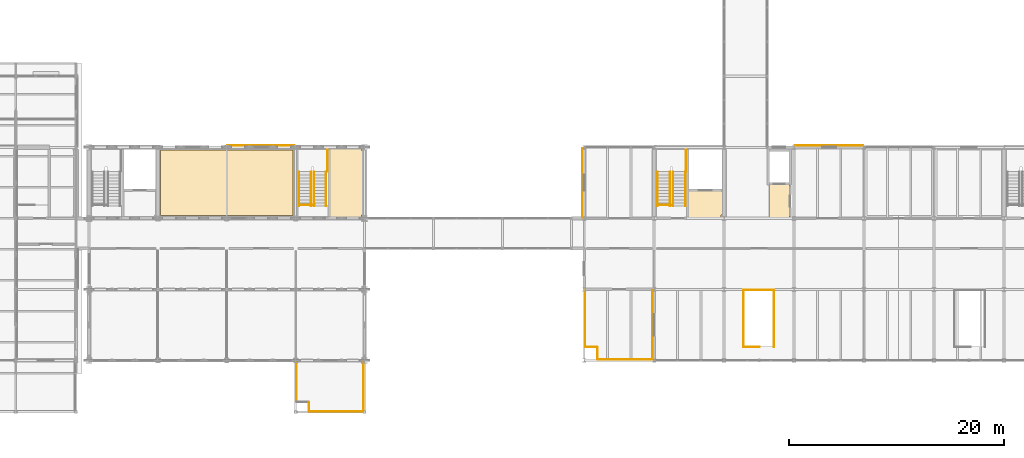
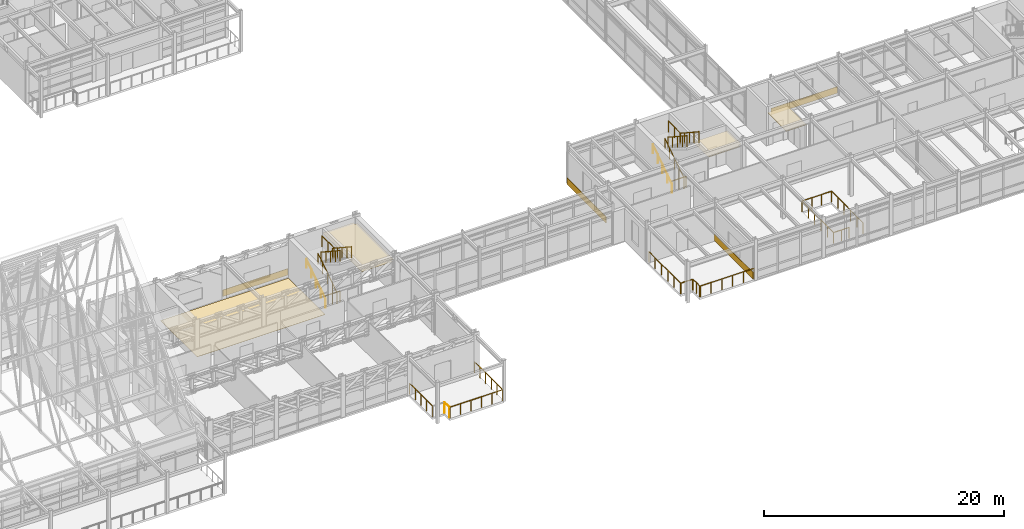
# One storey, part 141 of 144: 24 railings, 8 coverings.
"""IFC4 building model written with IfcOpenShell, lengths in metres."""

from ifc_helpers import new_model, si_unit, direction, frame, origin, origin_2d, place, context, subcontext, project, spatial, polyline, rectangle, circle, outline, extrude, material, layer, layer_set, type_object, element, save


model = new_model("IFC4")

# Units and contexts
model_context = context("Model", 3, precision=1e-05, world=origin(), true_north=direction((0.0, 1.0)))
body_context = subcontext(model_context, "Body", "Model", "MODEL_VIEW")
ifc_project = project(units=[si_unit("LENGTHUNIT", "METRE"), si_unit("AREAUNIT", "SQUARE_METRE"), si_unit("VOLUMEUNIT", "CUBIC_METRE"), si_unit("PLANEANGLEUNIT", "RADIAN"), si_unit("MASSUNIT", "GRAM", prefix="KILO")], contexts=[model_context])

# Site, building, storey
site_placement = place(None, origin())
site = spatial("IfcSite", under=ifc_project, at=site_placement, CompositionType="ELEMENT")
building_placement = place(site_placement, origin())
building = spatial("IfcBuilding", under=site, at=building_placement, Name="Trelmorton Wharf Fire Station", CompositionType="ELEMENT")
storey_placement = place(building_placement, frame((0.0, 0.0, 5.39990234375)))
storey = spatial("IfcBuildingStorey", under=building, at=storey_placement, Name="L01", CompositionType="ELEMENT", Elevation=5.39990234375)

# Coverings
ifc_material_1 = material(Name="Mineral fibre acoustic ceiling")
ifc_layer_1 = layer(ifc_material_1, 0.02001953125)
ifc_layer_set_1 = layer_set([ifc_layer_1], Name="Mineral fibre acoustic ceiling")
covering_type_1 = type_object("IfcCoveringType", Name="CV_CEIL_ACOU", PredefinedType="CEILING", material=ifc_layer_set_1)
covering_1_placement = place(storey_placement, frame((0.0, 0.0, 3.280029296875)))
element("IfcCovering", 1, at=covering_1_placement, inside=storey, type_object=covering_type_1, Name="CV-CLG-008", PredefinedType="CEILING", context=body_context, shape_type="SweptSolid", body=[
    extrude(outline(polyline([(80.360107421875, 27.56005859375), (83.300048828125, 27.56005859375), (83.300048828125, 27.300048828125), (83.56005859375, 27.300048828125), (83.56005859375, 21.300048828125), (83.300048828125, 21.300048828125), (83.300048828125, 21.0400390625), (80.360107421875, 21.0400390625), (80.360107421875, 27.56005859375)])), origin(), (0.0, 0.0, 1.0), 0.02001953125),
])
covering_2_placement = place(storey_placement, frame((0.0, 0.0, 3.280029296875)))
element("IfcCovering", 2, at=covering_2_placement, inside=storey, type_object=covering_type_1, Name="CV-CLG-013", PredefinedType="CEILING", context=body_context, shape_type="SweptSolid", body=[
    extrude(outline(polyline([(113.659912109375, 21.0400390625), (113.659912109375, 23.56005859375), (116.9599609375, 23.56005859375), (116.9599609375, 21.300048828125), (116.699951171875, 21.300048828125), (116.699951171875, 21.0400390625), (113.659912109375, 21.0400390625)])), origin(), (0.0, 0.0, 1.0), 0.02001953125),
])
covering_3_placement = place(storey_placement, frame((0.0, 0.0, 3.280029296875)))
element("IfcCovering", 3, at=covering_3_placement, inside=storey, type_object=covering_type_1, Name="CV-CLG-014", PredefinedType="CEILING", context=body_context, shape_type="SweptSolid", body=[
    extrude(outline(polyline([(123.090087890625, 21.0400390625), (123.090087890625, 24.159912109375), (121.14990234375, 24.159912109375), (121.14990234375, 21.0400390625), (123.090087890625, 21.0400390625)])), origin(), (0.0, 0.0, 1.0), 0.02001953125),
])
ifc_material_2 = material(Name="Signal-red ribbed aluminium cladding AW-6063", Category="aluminium")
ifc_layer_2 = layer(ifc_material_2, 0.034912109375)
ifc_layer_set_2 = layer_set([ifc_layer_2], Name="Signal-red ribbed aluminium cladding AW-6063")
covering_type_2 = type_object("IfcCoveringType", Name="CV_CLAD_RED", PredefinedType="CLADDING", material=ifc_layer_set_2)
covering_4_placement = place(storey_placement, frame((110.360107421875, 11.10009765625, 0.0400390625), z_axis=(0.0, 0.0, 1.0), x_axis=(0.0, 1.0, 0.0)))
element("IfcCovering", 4, at=covering_4_placement, inside=storey, type_object=covering_type_2, Name="CV-RED-0009", PredefinedType="CLADDING", context=body_context, shape_type="SweptSolid", body=[
    extrude(rectangle(XDim=6.469970703125, YDim=0.034912109375, at=origin_2d()), origin(), (0.0, 0.0, 1.0), 0.679931640625),
])
ifc_material_3 = material(Name="Architectural terracotta cladding", Category="masonry")
ifc_layer_3 = layer(ifc_material_3, 0.044921875)
ifc_layer_set_3 = layer_set([ifc_layer_3], Name="Architectural terracotta cladding")
covering_type_3 = type_object("IfcCoveringType", Name="CV_CLAD_TER", PredefinedType="CLADDING", material=ifc_layer_set_3)
covering_5_placement = place(storey_placement, frame((74.0, 27.764892578125, 0.0302734375), z_axis=(0.0, 0.0, 1.0), x_axis=(1.0, 0.0, 0.0)))
element("IfcCovering", 5, at=covering_5_placement, inside=storey, type_object=covering_type_3, Name="CV-TER-0005", PredefinedType="CLADDING", context=body_context, shape_type="SweptSolid", body=[
    extrude(rectangle(XDim=6.27001953125, YDim=0.044921875, at=origin_2d()), origin(), (0.0, 0.0, 1.0), 0.659912109375),
])
covering_6_placement = place(storey_placement, frame((126.75, 27.764892578125, 0.0302734375), z_axis=(0.0, 0.0, 1.0), x_axis=(1.0, 0.0, 0.0)))
element("IfcCovering", 6, at=covering_6_placement, inside=storey, type_object=covering_type_3, Name="CV-TER-0010", PredefinedType="CLADDING", context=body_context, shape_type="SweptSolid", body=[
    extrude(rectangle(XDim=6.3701171875, YDim=0.044921875, at=origin_2d()), origin(), (0.0, 0.0, 1.0), 0.659912109375),
])
covering_7_placement = place(storey_placement, frame((103.8349609375, 24.300048828125, 0.0302734375), z_axis=(0.0, 0.0, 1.0), x_axis=(0.0, 1.0, 0.0)))
element("IfcCovering", 7, at=covering_7_placement, inside=storey, type_object=covering_type_3, Name="CV-TER-0011", PredefinedType="CLADDING", context=body_context, shape_type="SweptSolid", body=[
    extrude(rectangle(XDim=6.469970703125, YDim=0.044921875, at=origin_2d()), origin(), (0.0, 0.0, 1.0), 0.659912109375),
])
ifc_material_4 = material(Name="Quarry tile wet-area flooring")
ifc_layer_4 = layer(ifc_material_4, 0.02001953125)
ifc_layer_set_4 = layer_set([ifc_layer_4], Name="Quarry tile wet-area flooring")
covering_type_4 = type_object("IfcCoveringType", Name="CV_FLOR_TILE", PredefinedType="FLOORING", material=ifc_layer_set_4)
covering_8_placement = place(storey_placement, origin())
element("IfcCovering", 8, at=covering_8_placement, inside=storey, type_object=covering_type_4, Name="CV-FLR-004", PredefinedType="FLOORING", context=body_context, shape_type="SweptSolid", body=[
    extrude(outline(polyline([(76.949951171875, 21.25), (76.949951171875, 27.35009765625), (64.64990234375, 27.35009765625), (64.64990234375, 21.25), (76.949951171875, 21.25)])), origin(), (0.0, 0.0, 1.0), 0.02001953125),
])

# Railings
ifc_material_5 = material(Name="Signal-red architectural steel Grade 350", Category="steel")
railing_type_1 = type_object("IfcRailingType", Name="RL_BAL_RED", PredefinedType="BALUSTRADE", material=ifc_material_5)
railing_1_placement = place(storey_placement, frame((77.280029296875, 7.760009765625, 0.0)))
element("IfcRailing", 9, at=railing_1_placement, inside=storey, type_object=railing_type_1, Name="RL-DECK-L01-013", PredefinedType="BALUSTRADE", context=body_context, shape_type="SweptSolid", body=[
    extrude(circle(Radius=0.02392578125, at=origin_2d()), frame((0.0, 0.0, 1.09619140625), z_axis=(0.0, -1.0, 0.0), x_axis=(1.0, 0.0, 0.0)), (0.0, 0.0, 1.0), 3.780029296875),
    extrude(circle(Radius=0.02099609375, at=origin_2d()), origin(), (0.0, 0.0, 1.0), 1.072021484375),
    extrude(circle(Radius=0.02099609375, at=origin_2d()), frame((0.0, -0.945068359375, 0.0)), (0.0, 0.0, 1.0), 1.072021484375),
    extrude(circle(Radius=0.02099609375, at=origin_2d()), frame((0.0, -1.89013671875, 0.0)), (0.0, 0.0, 1.0), 1.072021484375),
    extrude(circle(Radius=0.02099609375, at=origin_2d()), frame((0.0, -2.8349609375, 0.0)), (0.0, 0.0, 1.0), 1.072021484375),
    extrude(circle(Radius=0.02099609375, at=origin_2d()), frame((0.0, -3.780029296875, 0.0)), (0.0, 0.0, 1.0), 1.072021484375),
])
railing_2_placement = place(storey_placement, frame((78.419921875, 3.89990234375, 0.0)))
element("IfcRailing", 10, at=railing_2_placement, inside=storey, type_object=railing_type_1, Name="RL-DECK-L01-015", PredefinedType="BALUSTRADE", context=body_context, shape_type="SweptSolid", body=[
    extrude(circle(Radius=0.02392578125, at=origin_2d()), frame((0.0, 0.0, 1.09619140625), z_axis=(0.0, -1.0, 0.0), x_axis=(1.0, 0.0, 0.0)), (0.0, 0.0, 1.0), 0.77978515625),
    extrude(circle(Radius=0.02099609375, at=origin_2d()), origin(), (0.0, 0.0, 1.0), 1.072021484375),
    extrude(circle(Radius=0.02099609375, at=origin_2d()), frame((0.0, -0.77978515625, 0.0)), (0.0, 0.0, 1.0), 1.072021484375),
])
railing_3_placement = place(storey_placement, frame((78.4599609375, 3.080078125, 0.0)))
element("IfcRailing", 11, at=railing_3_placement, inside=storey, type_object=railing_type_1, Name="RL-DECK-L01-016", PredefinedType="BALUSTRADE", context=body_context, shape_type="SweptSolid", body=[
    extrude(circle(Radius=0.02392578125, at=origin_2d()), frame((0.0, 0.0, 1.09619140625), z_axis=(1.0, 0.0, 0.0), x_axis=(0.0, 1.0, 0.0)), (0.0, 0.0, 1.0), 5.02001953125),
    extrude(circle(Radius=0.02099609375, at=origin_2d()), origin(), (0.0, 0.0, 1.0), 1.072021484375),
    extrude(circle(Radius=0.02099609375, at=origin_2d()), frame((1.00390625, 0.0, 0.0)), (0.0, 0.0, 1.0), 1.072021484375),
    extrude(circle(Radius=0.02099609375, at=origin_2d()), frame((2.008056640625, 0.0, 0.0)), (0.0, 0.0, 1.0), 1.072021484375),
    extrude(circle(Radius=0.02099609375, at=origin_2d()), frame((3.011962890625, 0.0, 0.0)), (0.0, 0.0, 1.0), 1.072021484375),
    extrude(circle(Radius=0.02099609375, at=origin_2d()), frame((4.01611328125, 0.0, 0.0)), (0.0, 0.0, 1.0), 1.072021484375),
    extrude(circle(Radius=0.02099609375, at=origin_2d()), frame((5.02001953125, 0.0, 0.0)), (0.0, 0.0, 1.0), 1.072021484375),
])
railing_4_placement = place(storey_placement, frame((83.52001953125, 3.1201171875, 0.0)))
element("IfcRailing", 12, at=railing_4_placement, inside=storey, type_object=railing_type_1, Name="RL-DECK-L01-017", PredefinedType="BALUSTRADE", context=body_context, shape_type="SweptSolid", body=[
    extrude(circle(Radius=0.02392578125, at=origin_2d()), frame((0.0, 0.0, 1.09619140625), z_axis=(0.0, 1.0, 0.0), x_axis=(-1.0, 0.0, 0.0)), (0.0, 0.0, 1.0), 4.639892578125),
    extrude(circle(Radius=0.02099609375, at=origin_2d()), origin(), (0.0, 0.0, 1.0), 1.072021484375),
    extrude(circle(Radius=0.02099609375, at=origin_2d()), frame((0.0, 0.927978515625, 0.0)), (0.0, 0.0, 1.0), 1.072021484375),
    extrude(circle(Radius=0.02099609375, at=origin_2d()), frame((0.0, 1.85595703125, 0.0)), (0.0, 0.0, 1.0), 1.072021484375),
    extrude(circle(Radius=0.02099609375, at=origin_2d()), frame((0.0, 2.783935546875, 0.0)), (0.0, 0.0, 1.0), 1.072021484375),
    extrude(circle(Radius=0.02099609375, at=origin_2d()), frame((0.0, 3.7119140625, 0.0)), (0.0, 0.0, 1.0), 1.072021484375),
    extrude(circle(Radius=0.02099609375, at=origin_2d()), frame((0.0, 4.639892578125, 0.0)), (0.0, 0.0, 1.0), 1.072021484375),
])
railing_5_placement = place(storey_placement, frame((104.080078125, 14.360107421875, 0.0)))
element("IfcRailing", 13, at=railing_5_placement, inside=storey, type_object=railing_type_1, Name="RL-DECK-L01-018", PredefinedType="BALUSTRADE", context=body_context, shape_type="SweptSolid", body=[
    extrude(circle(Radius=0.02392578125, at=origin_2d()), frame((0.0, 0.0, 1.09619140625), z_axis=(0.0, -1.0, 0.0), x_axis=(1.0, 0.0, 0.0)), (0.0, 0.0, 1.0), 5.260009765625),
    extrude(circle(Radius=0.02099609375, at=origin_2d()), origin(), (0.0, 0.0, 1.0), 1.072021484375),
    extrude(circle(Radius=0.02099609375, at=origin_2d()), frame((0.0, -1.052001953125, 0.0)), (0.0, 0.0, 1.0), 1.072021484375),
    extrude(circle(Radius=0.02099609375, at=origin_2d()), frame((0.0, -2.10400390625, 0.0)), (0.0, 0.0, 1.0), 1.072021484375),
    extrude(circle(Radius=0.02099609375, at=origin_2d()), frame((0.0, -3.156005859375, 0.0)), (0.0, 0.0, 1.0), 1.072021484375),
    extrude(circle(Radius=0.02099609375, at=origin_2d()), frame((0.0, -4.2080078125, 0.0)), (0.0, 0.0, 1.0), 1.072021484375),
    extrude(circle(Radius=0.02099609375, at=origin_2d()), frame((0.0, -5.260009765625, 0.0)), (0.0, 0.0, 1.0), 1.072021484375),
])
railing_6_placement = place(storey_placement, frame((104.1201171875, 9.06005859375, 0.0)))
element("IfcRailing", 14, at=railing_6_placement, inside=storey, type_object=railing_type_1, Name="RL-DECK-L01-019", PredefinedType="BALUSTRADE", context=body_context, shape_type="SweptSolid", body=[
    extrude(circle(Radius=0.02392578125, at=origin_2d()), frame((0.0, 0.0, 1.09619140625), z_axis=(1.0, 0.0, 0.0), x_axis=(0.0, 1.0, 0.0)), (0.0, 0.0, 1.0), 1.08984375),
    extrude(circle(Radius=0.02099609375, at=origin_2d()), origin(), (0.0, 0.0, 1.0), 1.072021484375),
    extrude(circle(Radius=0.02099609375, at=origin_2d()), frame((1.08984375, 0.0, 0.0)), (0.0, 0.0, 1.0), 1.072021484375),
])
railing_7_placement = place(storey_placement, frame((105.25, 9.02001953125, 0.0)))
element("IfcRailing", 15, at=railing_7_placement, inside=storey, type_object=railing_type_1, Name="RL-DECK-L01-020", PredefinedType="BALUSTRADE", context=body_context, shape_type="SweptSolid", body=[
    extrude(circle(Radius=0.02392578125, at=origin_2d()), frame((0.0, 0.0, 1.09619140625), z_axis=(0.0, -1.0, 0.0), x_axis=(1.0, 0.0, 0.0)), (0.0, 0.0, 1.0), 1.10009765625),
    extrude(circle(Radius=0.02099609375, at=origin_2d()), origin(), (0.0, 0.0, 1.0), 1.072021484375),
    extrude(circle(Radius=0.02099609375, at=origin_2d()), frame((0.0, -0.550048828125, 0.0)), (0.0, 0.0, 1.0), 1.072021484375),
    extrude(circle(Radius=0.02099609375, at=origin_2d()), frame((0.0, -1.10009765625, 0.0)), (0.0, 0.0, 1.0), 1.072021484375),
])
railing_8_placement = place(storey_placement, frame((105.2900390625, 7.8798828125, 0.0)))
element("IfcRailing", 16, at=railing_8_placement, inside=storey, type_object=railing_type_1, Name="RL-DECK-L01-021", PredefinedType="BALUSTRADE", context=body_context, shape_type="SweptSolid", body=[
    extrude(circle(Radius=0.02392578125, at=origin_2d()), frame((0.0, 0.0, 1.09619140625), z_axis=(1.0, 0.0, 0.0), x_axis=(0.0, 1.0, 0.0)), (0.0, 0.0, 1.0), 5.169921875),
    extrude(circle(Radius=0.02099609375, at=origin_2d()), origin(), (0.0, 0.0, 1.0), 1.072021484375),
    extrude(circle(Radius=0.02099609375, at=origin_2d()), frame((1.033935546875, 0.0, 0.0)), (0.0, 0.0, 1.0), 1.072021484375),
    extrude(circle(Radius=0.02099609375, at=origin_2d()), frame((2.06787109375, 0.0, 0.0)), (0.0, 0.0, 1.0), 1.072021484375),
    extrude(circle(Radius=0.02099609375, at=origin_2d()), frame((3.10205078125, 0.0, 0.0)), (0.0, 0.0, 1.0), 1.072021484375),
    extrude(circle(Radius=0.02099609375, at=origin_2d()), frame((4.135986328125, 0.0, 0.0)), (0.0, 0.0, 1.0), 1.072021484375),
    extrude(circle(Radius=0.02099609375, at=origin_2d()), frame((5.169921875, 0.0, 0.0)), (0.0, 0.0, 1.0), 1.072021484375),
])
ifc_material_6 = material(Name="Stainless steel 316 marine grade", Category="steel")
railing_type_2 = type_object("IfcRailingType", Name="RL_HAND_900", PredefinedType="HANDRAIL", material=ifc_material_6)
for number, where, name in (
    (17, (77.510009765625, 22.139892578125, 0.0), "RL-HR1-STR-C2B-L01-06"),
    (18, (110.81005859375, 22.139892578125, 0.0), "RL-HR1-STR-C3-L01-09"),
):
    element("IfcRailing", number, at=place(storey_placement, frame(where)), inside=storey, type_object=railing_type_2, Name=name, PredefinedType="HANDRAIL", context=body_context, shape_type="SweptSolid", body=[
        extrude(circle(Radius=0.02099609375, at=origin_2d()), frame((0.0, 0.0, 0.87890625), z_axis=(0.0, 0.835261802243, 0.549852454495), x_axis=(-1.0, 0.0, 0.0)), (0.0, 0.0, 1.0), 3.8193359375),
        extrude(circle(Radius=0.02099609375, at=origin_2d()), origin(), (0.0, 0.0, 1.0), 0.85791015625),
        extrude(circle(Radius=0.02099609375, at=origin_2d()), frame((0.0, 0.797607421875, 0.52490234375)), (0.0, 0.0, 1.0), 0.85791015625),
        extrude(circle(Radius=0.02099609375, at=origin_2d()), frame((0.0, 1.59521484375, 1.050048828125)), (0.0, 0.0, 1.0), 0.85791015625),
        extrude(circle(Radius=0.02099609375, at=origin_2d()), frame((0.0, 2.392578125, 1.5751953125)), (0.0, 0.0, 1.0), 0.85791015625),
        extrude(circle(Radius=0.02099609375, at=origin_2d()), frame((0.0, 3.190185546875, 2.10009765625)), (0.0, 0.0, 1.0), 0.85791015625),
    ])
railing_type_3 = type_object("IfcRailingType", Name="RL_WELL_1100", PredefinedType="BALUSTRADE", material=ifc_material_6)
railing_9_placement = place(storey_placement, frame((77.56005859375, 22.260009765625, 0.0)))
element("IfcRailing", 19, at=railing_9_placement, inside=storey, type_object=railing_type_3, Name="RL-UPWELL-STR-C2B-L00-05", PredefinedType="BALUSTRADE", context=body_context, shape_type="SweptSolid", body=[
    extrude(circle(Radius=0.02392578125, at=origin_2d()), frame((0.0, 0.0, 1.09619140625), z_axis=(1.0, 0.0, 0.0), x_axis=(0.0, 1.0, 0.0)), (0.0, 0.0, 1.0), 1.3798828125),
    extrude(circle(Radius=0.02099609375, at=origin_2d()), origin(), (0.0, 0.0, 1.0), 1.072021484375),
    extrude(circle(Radius=0.02099609375, at=origin_2d()), frame((0.68994140625, 0.0, 0.0)), (0.0, 0.0, 1.0), 1.072021484375),
    extrude(circle(Radius=0.02099609375, at=origin_2d()), frame((1.3798828125, 0.0, 0.0)), (0.0, 0.0, 1.0), 1.072021484375),
])
railing_10_placement = place(storey_placement, frame((80.155029296875, 27.3349609375, 2.10009765625)))
element("IfcRailing", 20, at=railing_10_placement, inside=storey, type_object=railing_type_3, Name="RL-GW-OUT1-STR-C2B-L01-06", PredefinedType="BALUSTRADE", context=body_context, shape_type="SweptSolid", body=[
    extrude(circle(Radius=0.02392578125, at=origin_2d()), frame((0.0, 0.0, 1.09619140625), z_axis=(0.0, -1.0, 0.0), x_axis=(1.0, 0.0, 0.0)), (0.0, 0.0, 1.0), 1.96484375),
    extrude(circle(Radius=0.02099609375, at=origin_2d()), origin(), (0.0, 0.0, 1.0), 1.072021484375),
    extrude(circle(Radius=0.02099609375, at=origin_2d()), frame((0.0, -0.982421875, 0.0)), (0.0, 0.0, 1.0), 1.072021484375),
    extrude(circle(Radius=0.02099609375, at=origin_2d()), frame((0.0, -1.96484375, 0.0)), (0.0, 0.0, 1.0), 1.072021484375),
])
railing_11_placement = place(storey_placement, frame((80.010009765625, 25.330078125, 2.10009765625)))
element("IfcRailing", 21, at=railing_11_placement, inside=storey, type_object=railing_type_3, Name="RL-GW-OUT2-STR-C2B-L01-06", PredefinedType="BALUSTRADE", context=body_context, shape_type="SweptSolid", body=[
    extrude(circle(Radius=0.02392578125, at=origin_2d()), frame((0.0, 0.0, 1.09619140625), z_axis=(0.0, -0.835261802243, 0.549852454495), x_axis=(1.0, 0.0, 0.0)), (0.0, 0.0, 1.0), 3.8193359375),
    extrude(circle(Radius=0.02099609375, at=origin_2d()), origin(), (0.0, 0.0, 1.0), 1.072021484375),
    extrude(circle(Radius=0.02099609375, at=origin_2d()), frame((0.0, -0.797607421875, 0.52490234375)), (0.0, 0.0, 1.0), 1.072021484375),
    extrude(circle(Radius=0.02099609375, at=origin_2d()), frame((0.0, -1.59521484375, 1.050048828125)), (0.0, 0.0, 1.0), 1.072021484375),
    extrude(circle(Radius=0.02099609375, at=origin_2d()), frame((0.0, -2.392578125, 1.5751953125)), (0.0, 0.0, 1.0), 1.072021484375),
    extrude(circle(Radius=0.02099609375, at=origin_2d()), frame((0.0, -3.190185546875, 2.10009765625)), (0.0, 0.0, 1.0), 1.072021484375),
])
railing_12_placement = place(storey_placement, frame((78.610107421875, 22.139892578125, 0.0)))
element("IfcRailing", 22, at=railing_12_placement, inside=storey, type_object=railing_type_3, Name="RL-GW-IN1-STR-C2B-L01-06", PredefinedType="BALUSTRADE", context=body_context, shape_type="SweptSolid", body=[
    extrude(circle(Radius=0.02392578125, at=origin_2d()), frame((0.0, 0.0, 1.09619140625), z_axis=(0.0, 0.835261802243, 0.549852454495), x_axis=(-1.0, 0.0, 0.0)), (0.0, 0.0, 1.0), 3.8193359375),
    extrude(circle(Radius=0.02099609375, at=origin_2d()), origin(), (0.0, 0.0, 1.0), 1.072021484375),
    extrude(circle(Radius=0.02099609375, at=origin_2d()), frame((0.0, 0.797607421875, 0.52490234375)), (0.0, 0.0, 1.0), 1.072021484375),
    extrude(circle(Radius=0.02099609375, at=origin_2d()), frame((0.0, 1.59521484375, 1.050048828125)), (0.0, 0.0, 1.0), 1.072021484375),
    extrude(circle(Radius=0.02099609375, at=origin_2d()), frame((0.0, 2.392578125, 1.5751953125)), (0.0, 0.0, 1.0), 1.072021484375),
    extrude(circle(Radius=0.02099609375, at=origin_2d()), frame((0.0, 3.190185546875, 2.10009765625)), (0.0, 0.0, 1.0), 1.072021484375),
])
railing_13_placement = place(storey_placement, frame((78.909912109375, 25.330078125, 2.10009765625)))
element("IfcRailing", 23, at=railing_13_placement, inside=storey, type_object=railing_type_3, Name="RL-GW-IN2-STR-C2B-L01-06", PredefinedType="BALUSTRADE", context=body_context, shape_type="SweptSolid", body=[
    extrude(circle(Radius=0.02392578125, at=origin_2d()), frame((0.0, 0.0, 1.09619140625), z_axis=(0.0, -0.835261802243, 0.549852454495), x_axis=(1.0, 0.0, 0.0)), (0.0, 0.0, 1.0), 3.8193359375),
    extrude(circle(Radius=0.02099609375, at=origin_2d()), origin(), (0.0, 0.0, 1.0), 1.072021484375),
    extrude(circle(Radius=0.02099609375, at=origin_2d()), frame((0.0, -0.797607421875, 0.52490234375)), (0.0, 0.0, 1.0), 1.072021484375),
    extrude(circle(Radius=0.02099609375, at=origin_2d()), frame((0.0, -1.59521484375, 1.050048828125)), (0.0, 0.0, 1.0), 1.072021484375),
    extrude(circle(Radius=0.02099609375, at=origin_2d()), frame((0.0, -2.392578125, 1.5751953125)), (0.0, 0.0, 1.0), 1.072021484375),
    extrude(circle(Radius=0.02099609375, at=origin_2d()), frame((0.0, -3.190185546875, 2.10009765625)), (0.0, 0.0, 1.0), 1.072021484375),
])
railing_14_placement = place(storey_placement, frame((110.860107421875, 22.260009765625, 0.0)))
element("IfcRailing", 24, at=railing_14_placement, inside=storey, type_object=railing_type_3, Name="RL-UPWELL-STR-C3-L00-08", PredefinedType="BALUSTRADE", context=body_context, shape_type="SweptSolid", body=[
    extrude(circle(Radius=0.02392578125, at=origin_2d()), frame((0.0, 0.0, 1.09619140625), z_axis=(1.0, 0.0, 0.0), x_axis=(0.0, 1.0, 0.0)), (0.0, 0.0, 1.0), 1.33984375),
    extrude(circle(Radius=0.02099609375, at=origin_2d()), origin(), (0.0, 0.0, 1.0), 1.072021484375),
    extrude(circle(Radius=0.02099609375, at=origin_2d()), frame((0.669921875, 0.0, 0.0)), (0.0, 0.0, 1.0), 1.072021484375),
    extrude(circle(Radius=0.02099609375, at=origin_2d()), frame((1.33984375, 0.0, 0.0)), (0.0, 0.0, 1.0), 1.072021484375),
])
railing_15_placement = place(storey_placement, frame((113.455078125, 27.3349609375, 2.10009765625)))
element("IfcRailing", 25, at=railing_15_placement, inside=storey, type_object=railing_type_3, Name="RL-GW-OUT1-STR-C3-L01-09", PredefinedType="BALUSTRADE", context=body_context, shape_type="SweptSolid", body=[
    extrude(circle(Radius=0.02392578125, at=origin_2d()), frame((0.0, 0.0, 1.09619140625), z_axis=(0.0, -1.0, 0.0), x_axis=(1.0, 0.0, 0.0)), (0.0, 0.0, 1.0), 1.96484375),
    extrude(circle(Radius=0.02099609375, at=origin_2d()), origin(), (0.0, 0.0, 1.0), 1.072021484375),
    extrude(circle(Radius=0.02099609375, at=origin_2d()), frame((0.0, -0.982421875, 0.0)), (0.0, 0.0, 1.0), 1.072021484375),
    extrude(circle(Radius=0.02099609375, at=origin_2d()), frame((0.0, -1.96484375, 0.0)), (0.0, 0.0, 1.0), 1.072021484375),
])
railing_16_placement = place(storey_placement, frame((113.389892578125, 25.330078125, 2.10009765625)))
element("IfcRailing", 26, at=railing_16_placement, inside=storey, type_object=railing_type_3, Name="RL-GW-OUT2-STR-C3-L01-09", PredefinedType="BALUSTRADE", context=body_context, shape_type="SweptSolid", body=[
    extrude(circle(Radius=0.02392578125, at=origin_2d()), frame((0.0, 0.0, 1.09619140625), z_axis=(0.0, -0.835261802243, 0.549852454495), x_axis=(1.0, 0.0, 0.0)), (0.0, 0.0, 1.0), 3.8193359375),
    extrude(circle(Radius=0.02099609375, at=origin_2d()), origin(), (0.0, 0.0, 1.0), 1.072021484375),
    extrude(circle(Radius=0.02099609375, at=origin_2d()), frame((0.0, -0.797607421875, 0.52490234375)), (0.0, 0.0, 1.0), 1.072021484375),
    extrude(circle(Radius=0.02099609375, at=origin_2d()), frame((0.0, -1.59521484375, 1.050048828125)), (0.0, 0.0, 1.0), 1.072021484375),
    extrude(circle(Radius=0.02099609375, at=origin_2d()), frame((0.0, -2.392578125, 1.5751953125)), (0.0, 0.0, 1.0), 1.072021484375),
    extrude(circle(Radius=0.02099609375, at=origin_2d()), frame((0.0, -3.190185546875, 2.10009765625)), (0.0, 0.0, 1.0), 1.072021484375),
])
railing_17_placement = place(storey_placement, frame((111.949951171875, 22.139892578125, 0.0)))
element("IfcRailing", 27, at=railing_17_placement, inside=storey, type_object=railing_type_3, Name="RL-GW-IN1-STR-C3-L01-09", PredefinedType="BALUSTRADE", context=body_context, shape_type="SweptSolid", body=[
    extrude(circle(Radius=0.02392578125, at=origin_2d()), frame((0.0, 0.0, 1.09619140625), z_axis=(0.0, 0.835261802243, 0.549852454495), x_axis=(-1.0, 0.0, 0.0)), (0.0, 0.0, 1.0), 3.8193359375),
    extrude(circle(Radius=0.02099609375, at=origin_2d()), origin(), (0.0, 0.0, 1.0), 1.072021484375),
    extrude(circle(Radius=0.02099609375, at=origin_2d()), frame((0.0, 0.797607421875, 0.52490234375)), (0.0, 0.0, 1.0), 1.072021484375),
    extrude(circle(Radius=0.02099609375, at=origin_2d()), frame((0.0, 1.59521484375, 1.050048828125)), (0.0, 0.0, 1.0), 1.072021484375),
    extrude(circle(Radius=0.02099609375, at=origin_2d()), frame((0.0, 2.392578125, 1.5751953125)), (0.0, 0.0, 1.0), 1.072021484375),
    extrude(circle(Radius=0.02099609375, at=origin_2d()), frame((0.0, 3.190185546875, 2.10009765625)), (0.0, 0.0, 1.0), 1.072021484375),
])
railing_18_placement = place(storey_placement, frame((112.25, 25.330078125, 2.10009765625)))
element("IfcRailing", 28, at=railing_18_placement, inside=storey, type_object=railing_type_3, Name="RL-GW-IN2-STR-C3-L01-09", PredefinedType="BALUSTRADE", context=body_context, shape_type="SweptSolid", body=[
    extrude(circle(Radius=0.02392578125, at=origin_2d()), frame((0.0, 0.0, 1.09619140625), z_axis=(0.0, -0.835261802243, 0.549852454495), x_axis=(1.0, 0.0, 0.0)), (0.0, 0.0, 1.0), 3.8193359375),
    extrude(circle(Radius=0.02099609375, at=origin_2d()), origin(), (0.0, 0.0, 1.0), 1.072021484375),
    extrude(circle(Radius=0.02099609375, at=origin_2d()), frame((0.0, -0.797607421875, 0.52490234375)), (0.0, 0.0, 1.0), 1.072021484375),
    extrude(circle(Radius=0.02099609375, at=origin_2d()), frame((0.0, -1.59521484375, 1.050048828125)), (0.0, 0.0, 1.0), 1.072021484375),
    extrude(circle(Radius=0.02099609375, at=origin_2d()), frame((0.0, -2.392578125, 1.5751953125)), (0.0, 0.0, 1.0), 1.072021484375),
    extrude(circle(Radius=0.02099609375, at=origin_2d()), frame((0.0, -3.190185546875, 2.10009765625)), (0.0, 0.0, 1.0), 1.072021484375),
])
railing_19_placement = place(storey_placement, frame((118.780029296875, 9.06005859375, 0.0)))
element("IfcRailing", 29, at=railing_19_placement, inside=storey, type_object=railing_type_3, Name="RL-STS-04-US", PredefinedType="BALUSTRADE", context=body_context, shape_type="SweptSolid", body=[
    extrude(circle(Radius=0.02392578125, at=origin_2d()), frame((0.0, 0.0, 1.09619140625), z_axis=(1.0, 0.0, 0.0), x_axis=(0.0, 1.0, 0.0)), (0.0, 0.0, 1.0), 1.5),
    extrude(circle(Radius=0.02099609375, at=origin_2d()), origin(), (0.0, 0.0, 1.0), 1.072021484375),
    extrude(circle(Radius=0.02099609375, at=origin_2d()), frame((0.75, 0.0, 0.0)), (0.0, 0.0, 1.0), 1.072021484375),
    extrude(circle(Radius=0.02099609375, at=origin_2d()), frame((1.5, 0.0, 0.0)), (0.0, 0.0, 1.0), 1.072021484375),
])
railing_20_placement = place(storey_placement, frame((118.780029296875, 9.06005859375, 0.0)))
element("IfcRailing", 30, at=railing_20_placement, inside=storey, type_object=railing_type_3, Name="RL-STS-04-UW", PredefinedType="BALUSTRADE", context=body_context, shape_type="SweptSolid", body=[
    extrude(circle(Radius=0.02392578125, at=origin_2d()), frame((0.0, 0.0, 1.09619140625), z_axis=(0.0, 1.0, 0.0), x_axis=(-1.0, 0.0, 0.0)), (0.0, 0.0, 1.0), 5.280029296875),
    extrude(circle(Radius=0.02099609375, at=origin_2d()), origin(), (0.0, 0.0, 1.0), 1.072021484375),
    extrude(circle(Radius=0.02099609375, at=origin_2d()), frame((0.0, 1.055908203125, 0.0)), (0.0, 0.0, 1.0), 1.072021484375),
    extrude(circle(Radius=0.02099609375, at=origin_2d()), frame((0.0, 2.112060546875, 0.0)), (0.0, 0.0, 1.0), 1.072021484375),
    extrude(circle(Radius=0.02099609375, at=origin_2d()), frame((0.0, 3.16796875, 0.0)), (0.0, 0.0, 1.0), 1.072021484375),
    extrude(circle(Radius=0.02099609375, at=origin_2d()), frame((0.0, 4.22412109375, 0.0)), (0.0, 0.0, 1.0), 1.072021484375),
    extrude(circle(Radius=0.02099609375, at=origin_2d()), frame((0.0, 5.280029296875, 0.0)), (0.0, 0.0, 1.0), 1.072021484375),
])
railing_21_placement = place(storey_placement, frame((118.780029296875, 14.340087890625, 0.0)))
element("IfcRailing", 31, at=railing_21_placement, inside=storey, type_object=railing_type_3, Name="RL-STS-04-UN", PredefinedType="BALUSTRADE", context=body_context, shape_type="SweptSolid", body=[
    extrude(circle(Radius=0.02392578125, at=origin_2d()), frame((0.0, 0.0, 1.09619140625), z_axis=(1.0, 0.0, 0.0), x_axis=(0.0, 1.0, 0.0)), (0.0, 0.0, 1.0), 2.840087890625),
    extrude(circle(Radius=0.02099609375, at=origin_2d()), origin(), (0.0, 0.0, 1.0), 1.072021484375),
    extrude(circle(Radius=0.02099609375, at=origin_2d()), frame((0.94677734375, 0.0, 0.0)), (0.0, 0.0, 1.0), 1.072021484375),
    extrude(circle(Radius=0.02099609375, at=origin_2d()), frame((1.893310546875, 0.0, 0.0)), (0.0, 0.0, 1.0), 1.072021484375),
    extrude(circle(Radius=0.02099609375, at=origin_2d()), frame((2.840087890625, 0.0, 0.0)), (0.0, 0.0, 1.0), 1.072021484375),
])
railing_22_placement = place(storey_placement, frame((121.6201171875, 9.06005859375, 0.0)))
element("IfcRailing", 32, at=railing_22_placement, inside=storey, type_object=railing_type_3, Name="RL-STS-04-UE", PredefinedType="BALUSTRADE", context=body_context, shape_type="SweptSolid", body=[
    extrude(circle(Radius=0.02392578125, at=origin_2d()), frame((0.0, 0.0, 1.09619140625), z_axis=(0.0, 1.0, 0.0), x_axis=(-1.0, 0.0, 0.0)), (0.0, 0.0, 1.0), 5.280029296875),
    extrude(circle(Radius=0.02099609375, at=origin_2d()), origin(), (0.0, 0.0, 1.0), 1.072021484375),
    extrude(circle(Radius=0.02099609375, at=origin_2d()), frame((0.0, 1.055908203125, 0.0)), (0.0, 0.0, 1.0), 1.072021484375),
    extrude(circle(Radius=0.02099609375, at=origin_2d()), frame((0.0, 2.112060546875, 0.0)), (0.0, 0.0, 1.0), 1.072021484375),
    extrude(circle(Radius=0.02099609375, at=origin_2d()), frame((0.0, 3.16796875, 0.0)), (0.0, 0.0, 1.0), 1.072021484375),
    extrude(circle(Radius=0.02099609375, at=origin_2d()), frame((0.0, 4.22412109375, 0.0)), (0.0, 0.0, 1.0), 1.072021484375),
    extrude(circle(Radius=0.02099609375, at=origin_2d()), frame((0.0, 5.280029296875, 0.0)), (0.0, 0.0, 1.0), 1.072021484375),
])

save(model, "model.ifc")
